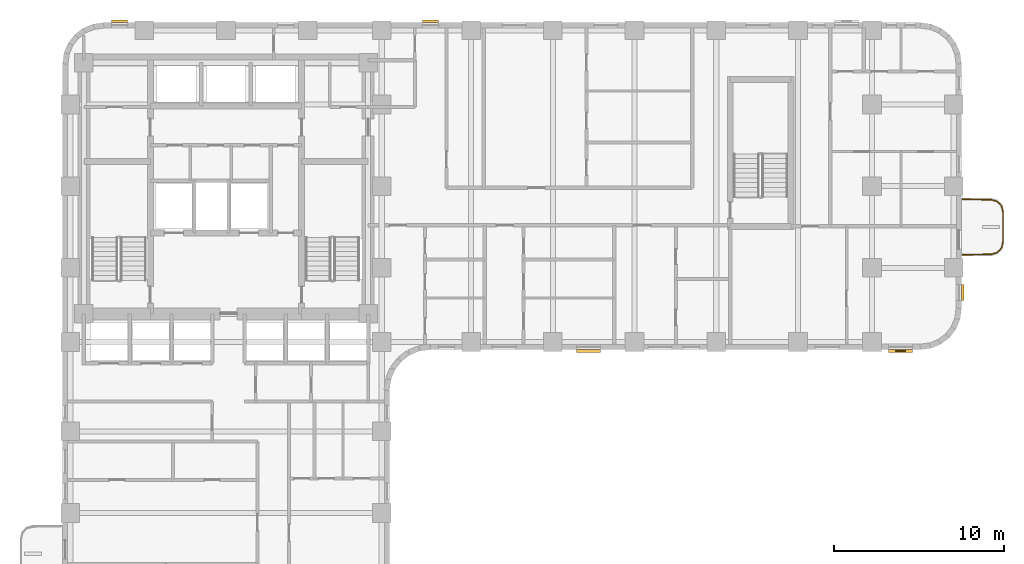
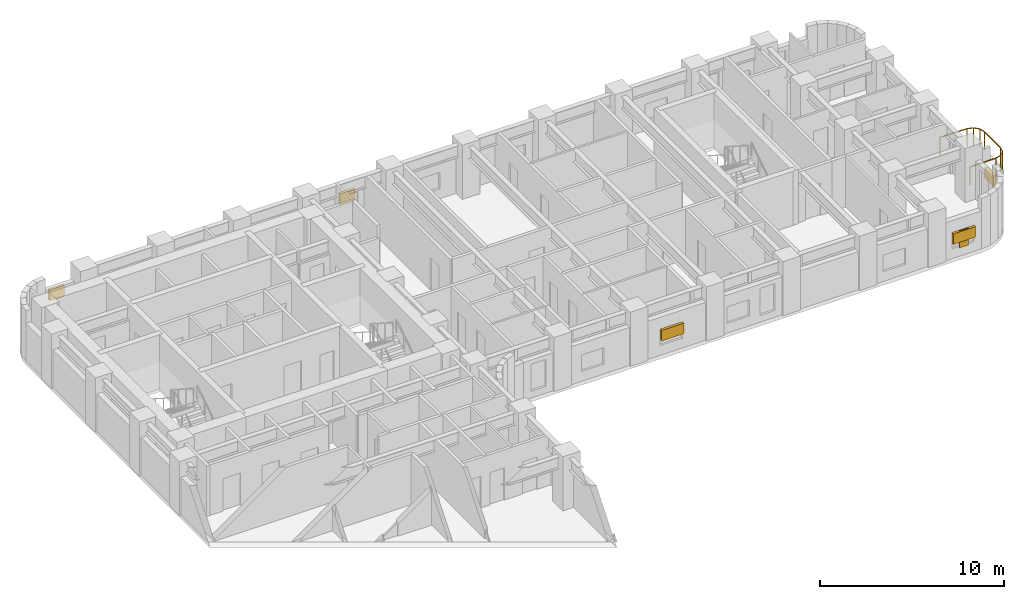
# One storey, part 10 of 11: 6 shading devices, 1 railing.
"""IFC4 building model written with IfcOpenShell, lengths in metres."""

from ifc_helpers import new_model, si_unit, direction, frame, origin, origin_2d, place, context, subcontext, project, spatial, rectangle, extrude, material, type_object, element, save


model = new_model("IFC4")

# Units and contexts
model_context = context("Model", 3, precision=1e-05, world=origin(), true_north=direction((0.0, 1.0)))
body_context = subcontext(model_context, "Body", "Model", "MODEL_VIEW")
ifc_project = project(units=[si_unit("LENGTHUNIT", "METRE"), si_unit("AREAUNIT", "SQUARE_METRE"), si_unit("VOLUMEUNIT", "CUBIC_METRE"), si_unit("PLANEANGLEUNIT", "RADIAN"), si_unit("MASSUNIT", "GRAM", prefix="KILO")], contexts=[model_context])

# Site, building, storey
site_placement = place(None, origin())
site = spatial("IfcSite", under=ifc_project, at=site_placement, CompositionType="ELEMENT")
building_placement = place(site_placement, origin())
building = spatial("IfcBuilding", under=site, at=building_placement, Name="Orvandelia Arch Residences", CompositionType="ELEMENT")
storey_placement = place(building_placement, frame((0.0, 0.0, 53.800048828125)))
storey = spatial("IfcBuildingStorey", under=building, at=storey_placement, Name="L13", CompositionType="ELEMENT", Elevation=53.800048828125)

# Railing
ifc_material_1 = material(Name="Marine-Grade Stainless Steel 316", Category="steel")
railing_type = type_object("IfcRailingType", Name="GRD-BAL-1200", PredefinedType="BALUSTRADE", material=ifc_material_1)
railing_placement = place(storey_placement, frame((57.671875, 34.36962890625, 0.0)))
element("IfcRailing", 1, at=railing_placement, inside=storey, type_object=railing_type, Name="Safety Balustrade Guard GRD-L13-BAL-L13-E1-1", PredefinedType="BALUSTRADE", context=body_context, shape_type="SweptSolid", body=[
    extrude(rectangle(XDim=0.048095703125, YDim=0.048095703125, at=origin_2d()), frame((0.0, 0.0, 1.19580078125), z_axis=(0.999837384468, 0.018033430643, 0.0), x_axis=(-0.018033430643, 0.999837384468, 0.0)), (0.0, 0.0, 1.0), 1.6787109375),
    extrude(rectangle(XDim=0.048095703125, YDim=0.048095703125, at=origin_2d()), frame((1.678466796875, 0.0302734375, 1.19580078125), z_axis=(0.963441293861, 0.267919527627, 0.0), x_axis=(-0.267919527627, 0.963441293861, 0.0)), (0.0, 0.0, 1.0), 0.365478515625),
    extrude(rectangle(XDim=0.048095703125, YDim=0.048095703125, at=origin_2d()), frame((2.030517578125, 0.128173828125, 1.19580078125), z_axis=(0.688296224633, 0.725429739642, 0.0), x_axis=(-0.725429739642, 0.688296224633, 0.0)), (0.0, 0.0, 1.0), 0.3681640625),
    extrude(rectangle(XDim=0.048095703125, YDim=0.048095703125, at=origin_2d()), frame((2.283935546875, 0.395263671875, 1.19580078125), z_axis=(0.221225034864, 0.975222786828, 0.0), x_axis=(-0.975222786828, 0.221225034864, 0.0)), (0.0, 0.0, 1.0), 0.373046875),
    extrude(rectangle(XDim=0.048095703125, YDim=0.048095703125, at=origin_2d()), frame((2.366455078125, 0.759033203125, 1.19580078125), z_axis=(0.0, 1.0, 0.0), x_axis=(-1.0, 0.0, 0.0)), (0.0, 0.0, 1.0), 1.74267578125),
    extrude(rectangle(XDim=0.048095703125, YDim=0.048095703125, at=origin_2d()), frame((2.366455078125, 2.501708984375, 1.19580078125), z_axis=(-0.221225034864, 0.975222786828, 0.0), x_axis=(-0.975222786828, -0.221225034864, 0.0)), (0.0, 0.0, 1.0), 0.373046875),
    extrude(rectangle(XDim=0.048095703125, YDim=0.048095703125, at=origin_2d()), frame((2.283935546875, 2.865478515625, 1.19580078125), z_axis=(-0.688296224633, 0.725429739642, 0.0), x_axis=(-0.725429739642, -0.688296224633, 0.0)), (0.0, 0.0, 1.0), 0.3681640625),
    extrude(rectangle(XDim=0.048095703125, YDim=0.048095703125, at=origin_2d()), frame((2.030517578125, 3.132568359375, 1.19580078125), z_axis=(-0.963441293861, 0.267919527627, 0.0), x_axis=(-0.267919527627, -0.963441293861, 0.0)), (0.0, 0.0, 1.0), 0.365478515625),
    extrude(rectangle(XDim=0.048095703125, YDim=0.048095703125, at=origin_2d()), frame((1.678466796875, 3.23046875, 1.19580078125), z_axis=(-0.999837384468, 0.018033430643, 0.0), x_axis=(-0.018033430643, -0.999837384468, 0.0)), (0.0, 0.0, 1.0), 1.6787109375),
    extrude(rectangle(XDim=0.0419921875, YDim=0.0419921875, at=origin_2d()), origin(), (0.0, 0.0, 1.0), 1.171875),
    extrude(rectangle(XDim=0.0419921875, YDim=0.0419921875, at=origin_2d()), frame((1.678466796875, 0.0302734375, 0.0)), (0.0, 0.0, 1.0), 1.171875),
    extrude(rectangle(XDim=0.0419921875, YDim=0.0419921875, at=origin_2d()), frame((2.030517578125, 0.128173828125, 0.0)), (0.0, 0.0, 1.0), 1.171875),
    extrude(rectangle(XDim=0.0419921875, YDim=0.0419921875, at=origin_2d()), frame((2.283935546875, 0.395263671875, 0.0)), (0.0, 0.0, 1.0), 1.171875),
    extrude(rectangle(XDim=0.0419921875, YDim=0.0419921875, at=origin_2d()), frame((2.366455078125, 0.759033203125, 0.0)), (0.0, 0.0, 1.0), 1.171875),
    extrude(rectangle(XDim=0.0419921875, YDim=0.0419921875, at=origin_2d()), frame((2.366455078125, 2.501708984375, 0.0)), (0.0, 0.0, 1.0), 1.171875),
    extrude(rectangle(XDim=0.0419921875, YDim=0.0419921875, at=origin_2d()), frame((2.283935546875, 2.865478515625, 0.0)), (0.0, 0.0, 1.0), 1.171875),
    extrude(rectangle(XDim=0.0419921875, YDim=0.0419921875, at=origin_2d()), frame((2.030517578125, 3.132568359375, 0.0)), (0.0, 0.0, 1.0), 1.171875),
    extrude(rectangle(XDim=0.0419921875, YDim=0.0419921875, at=origin_2d()), frame((1.678466796875, 3.23046875, 0.0)), (0.0, 0.0, 1.0), 1.171875),
    extrude(rectangle(XDim=0.0419921875, YDim=0.0419921875, at=origin_2d()), frame((0.0, 3.2607421875, 0.0)), (0.0, 0.0, 1.0), 1.171875),
])

# Shading devices
ifc_material_2 = material(Name="Anodised Champagne-Bronze Extruded Aluminium", Category="aluminium")
shading_device_type_1 = type_object("IfcShadingDeviceType", Name="SHD-JALOUSIE-SCREEN", PredefinedType="JALOUSIE", material=ifc_material_2)
for number, where, z_axis, x_axis, name in (
    (2, (26.4150390625, 48.080078125, 1.5498046875), (0.0, 0.0, 1.0), (1.0, 0.0, 0.0), "Bronze Jalousie Sun-Shade L13-001"),
    (3, (8.14501953125, 48.080078125, 1.5498046875), (0.0, 0.0, 1.0), (1.0, 0.0, 0.0), "Bronze Jalousie Sun-Shade L13-002"),
    (4, (57.679931640625, 32.14501953125, 1.5498046875), (0.0, 0.0, 1.0), (0.0, -1.0, 0.0), "Bronze Jalousie Sun-Shade L13-004"),
):
    element("IfcShadingDevice", number, at=place(storey_placement, frame(where, z_axis=z_axis, x_axis=x_axis)), inside=storey, type_object=shading_device_type_1, Name=name, PredefinedType="JALOUSIE", context=body_context, shape_type="SweptSolid", body=[
        extrude(rectangle(XDim=0.949951171875, YDim=0.159912109375, at=origin_2d()), origin(), (0.0, 0.0, 1.0), 0.699951171875),
    ])
for number, where, z_axis, x_axis, name in (
    (5, (35.68505859375, 28.719970703125, 1.0498046875), (0.0, 0.0, 1.0), (-1.0, 0.0, 0.0), "Bronze Jalousie Sun-Shade L13-005"),
    (6, (54.030029296875, 28.719970703125, 1.0498046875), (0.0, 0.0, 1.0), (-1.0, 0.0, 0.0), "Bronze Jalousie Sun-Shade L13-006"),
):
    element("IfcShadingDevice", number, at=place(storey_placement, frame(where, z_axis=z_axis, x_axis=x_axis)), inside=storey, type_object=shading_device_type_1, Name=name, PredefinedType="JALOUSIE", context=body_context, shape_type="SweptSolid", body=[
        extrude(rectangle(XDim=1.39990234375, YDim=0.159912109375, at=origin_2d()), origin(), (0.0, 0.0, 1.0), 0.699951171875),
    ])
ifc_material_3 = material(Name="Marine-Grade Perforated Aluminium Storm Shutter", Category="aluminium")
shading_device_type_2 = type_object("IfcShadingDeviceType", Name="SHD-STORM-SHUTTER", PredefinedType="SHUTTER", material=ifc_material_3)
shading_device_placement = place(storey_placement, frame((54.030029296875, 28.719970703125, 0.64990234375), z_axis=(0.0, 0.0, 1.0), x_axis=(-1.0, 0.0, 0.0)))
element("IfcShadingDevice", 7, at=shading_device_placement, inside=storey, type_object=shading_device_type_2, Name="Operable Typhoon Storm Shutter L13-006", PredefinedType="SHUTTER", context=body_context, shape_type="SweptSolid", body=[
    extrude(rectangle(XDim=0.550048828125, YDim=0.080078125, at=origin_2d()), origin(), (0.0, 0.0, 1.0), 1.10009765625),
])

save(model, "model.ifc")
